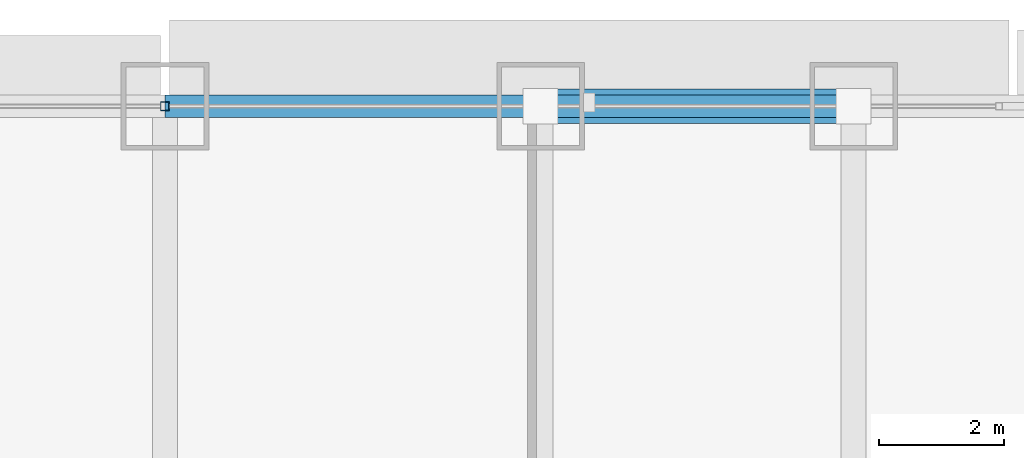
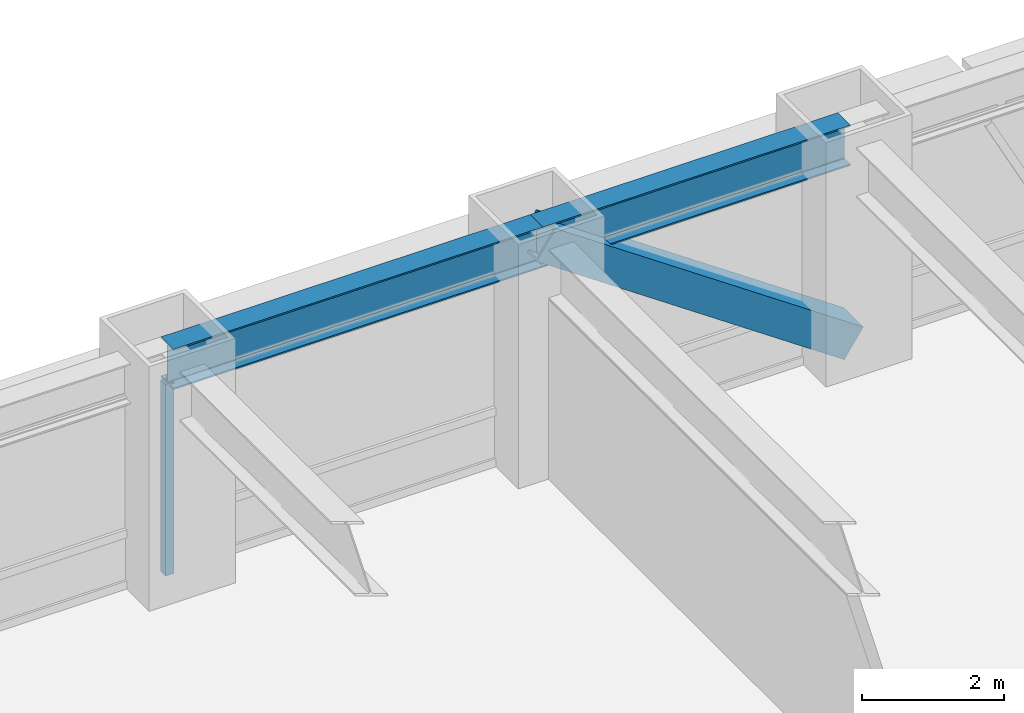
# One storey, part 19 of 32: 2 beams, 2 members, 1 element without a shape of its own.
"""IFC4 building model written with IfcOpenShell, lengths in metres."""

from ifc_helpers import new_model, si_unit, direction, frame, origin, origin_2d, place, context, subcontext, project, spatial, hollow_rectangle, i_section, extrude, source, transform, mapped, material, material_profile, profile_set, type_object, element, aggregate, save


model = new_model("IFC4")

# Units and contexts
model_context = context("Model", 3, precision=1e-05, world=origin(), true_north=direction((0.0, 1.0)))
body_context = subcontext(model_context, "Body", "Model", "MODEL_VIEW")
ifc_project = project(units=[si_unit("LENGTHUNIT", "METRE"), si_unit("AREAUNIT", "SQUARE_METRE"), si_unit("VOLUMEUNIT", "CUBIC_METRE"), si_unit("PLANEANGLEUNIT", "RADIAN"), si_unit("MASSUNIT", "GRAM", prefix="KILO")], contexts=[model_context])

# Site, building, storey
site_placement = place(None, origin())
site = spatial("IfcSite", under=ifc_project, at=site_placement, CompositionType="ELEMENT")
building_placement = place(site_placement, origin())
building = spatial("IfcBuilding", under=site, at=building_placement, Name="Khorayat Bourse Tower", CompositionType="ELEMENT")
storey_placement = place(building_placement, frame((0.0, 0.0, 78.800048828125)))
storey = spatial("IfcBuildingStorey", under=building, at=storey_placement, Name="L17", CompositionType="ELEMENT", Elevation=78.800048828125)

# Beams
ifc_material_1 = material(Name="Steel ASTM A992 Grade 50", Category="steel")
ifc_material_profile_1 = material_profile(ifc_material_1, i_section(OverallWidth=0.35498046875, OverallDepth=0.695068359375, WebThickness=0.015380859375, FlangeThickness=0.02490234375, FilletRadius=0.01806640625, at=origin_2d()), Name="W690X217")
ifc_profile_set_1 = profile_set([ifc_material_profile_1], Name="Steel ASTM A992 Grade 50")
beam_type = type_object("IfcBeamType", Name="BM-SPAN-690", PredefinedType="SPANDREL", material=ifc_profile_set_1)
shared_shape_1 = source(origin(), body_context, "Body", "SweptSolid", [
    extrude(i_section(OverallWidth=0.35498046875, OverallDepth=0.695068359375, WebThickness=0.015380859375, FlangeThickness=0.02490234375, FilletRadius=0.01806640625, at=origin_2d()), origin(), (0.0, 0.0, 1.0), 5.0),
])
beam_1_placement = place(storey_placement, frame((6.0, 32.0, 3.592529296875), z_axis=(1.0, 0.0, 0.0), x_axis=(0.0, 1.0, 0.0)))
element("IfcBeam", 1, at=beam_1_placement, inside=storey, type_object=beam_type, Name="L17 BM-SPAN-690 BM-L17-SPN-046", PredefinedType="SPANDREL", context=body_context, shape_type="MappedRepresentation", body=[
    mapped(shared_shape_1, transform((0.0, 0.0, 0.0), scale=1.0)),
])
shared_shape_2 = source(origin(), body_context, "Body", "SweptSolid", [
    extrude(i_section(OverallWidth=0.35498046875, OverallDepth=0.695068359375, WebThickness=0.015380859375, FlangeThickness=0.02490234375, FilletRadius=0.01806640625, at=origin_2d()), origin(), (0.0, 0.0, 1.0), 6.0),
])
beam_2_placement = place(storey_placement, frame((0.0, 32.0, 3.592529296875), z_axis=(1.0, 0.0, 0.0), x_axis=(0.0, 1.0, 0.0)))
element("IfcBeam", 2, at=beam_2_placement, inside=storey, type_object=beam_type, Name="L17 BM-SPAN-690 BM-L17-SPN-047", PredefinedType="SPANDREL", context=body_context, shape_type="MappedRepresentation", body=[
    mapped(shared_shape_2, transform((0.0, 0.0, 0.0), scale=1.0)),
])

# Member
ifc_material_2 = material(Name="Steel EN 10025-4 S460M", Category="steel")
ifc_material_profile_2 = material_profile(ifc_material_2, hollow_rectangle(XDim=0.550048828125, YDim=0.550048828125, WallThickness=0.031982421875, at=origin_2d()), Name="HSS 550x550x32")
ifc_profile_set_2 = profile_set([ifc_material_profile_2], Name="Steel EN 10025-4 S460M")
member_type_1 = type_object("IfcMemberType", Name="MBR-TUBE-550", PredefinedType="BRACE", material=ifc_profile_set_2)
shared_shape_3 = source(origin(), body_context, "Body", "SweptSolid", [
    extrude(hollow_rectangle(XDim=0.550048828125, YDim=0.550048828125, WallThickness=0.031982421875, at=origin_2d()), origin(), (0.0, 0.0, 1.0), 6.069091796875),
])
member_1_placement = place(storey_placement, frame((6.0, 32.0, 3.68994140625), z_axis=(0.823854080622, 0.0, -0.566801952928), x_axis=(0.0, 1.0, 0.0)))
element("IfcMember", 3, at=member_1_placement, inside=storey, type_object=member_type_1, Name="L17 Perimeter Tube Brace 04", PredefinedType="BRACE", context=body_context, shape_type="MappedRepresentation", body=[
    mapped(shared_shape_3, transform((0.0, 0.0, 0.0), scale=1.0)),
])

# Curtain wall, member
ifc_material_3 = material(Name="Aluminium EN AW-6063 T6", Category="aluminium")
curtain_wall_type = type_object("IfcCurtainWallType", Name="CW-SYS-02", PredefinedType="NOTDEFINED", material=ifc_material_3)
curtain_wall_placement = place(storey_placement, origin())
curtain_wall = element("IfcCurtainWall", 4, at=curtain_wall_placement, inside=storey, type_object=curtain_wall_type, Name="L17 Curtain Wall CW-L17-N1", PredefinedType="NOTDEFINED")
ifc_material_profile_3 = material_profile(ifc_material_3, hollow_rectangle(XDim=0.139892578125, YDim=0.139892578125, WallThickness=0.006103515625, at=origin_2d()), Name="ALU 140x140x6")
ifc_profile_set_3 = profile_set([ifc_material_profile_3], Name="Aluminium EN AW-6063 T6")
member_type_2 = type_object("IfcMemberType", Name="CWM-VERT-140", PredefinedType="MULLION", material=ifc_profile_set_3)
shared_shape_4 = source(origin(), body_context, "Body", "SweptSolid", [
    extrude(hollow_rectangle(XDim=0.139892578125, YDim=0.139892578125, WallThickness=0.006103515625, at=origin_2d()), origin(), (0.0, 0.0, 1.0), 3.2900390625),
])
member_2_placement = place(storey_placement, frame((0.0, 32.0, 0.0), z_axis=(0.0, 0.0, 1.0), x_axis=(0.0, 1.0, 0.0)))
member_2 = element("IfcMember", 5, at=member_2_placement, type_object=member_type_2, Name="CW-L17-N1 Vertical Mullion 2", PredefinedType="MULLION", context=body_context, shape_type="MappedRepresentation", body=[
    mapped(shared_shape_4, transform((0.0, 0.0, 0.0), scale=1.0)),
])
aggregate(curtain_wall, [member_2])

save(model, "model.ifc")
